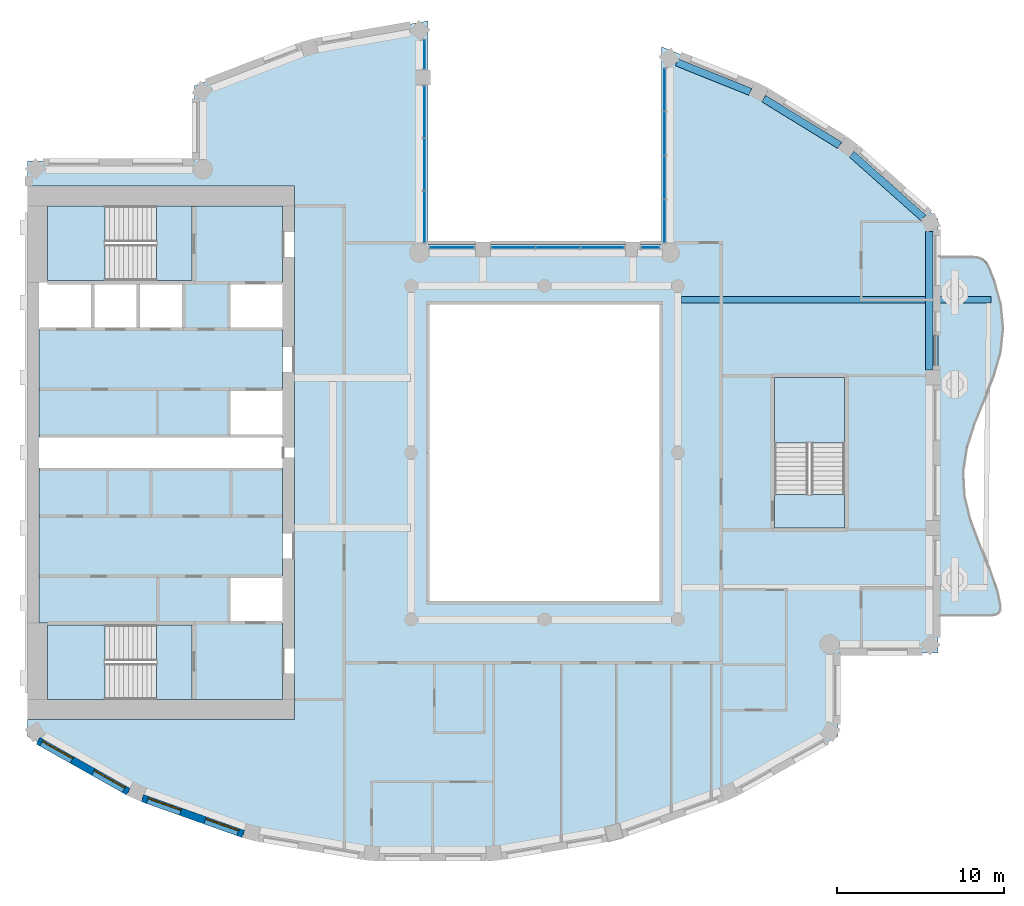
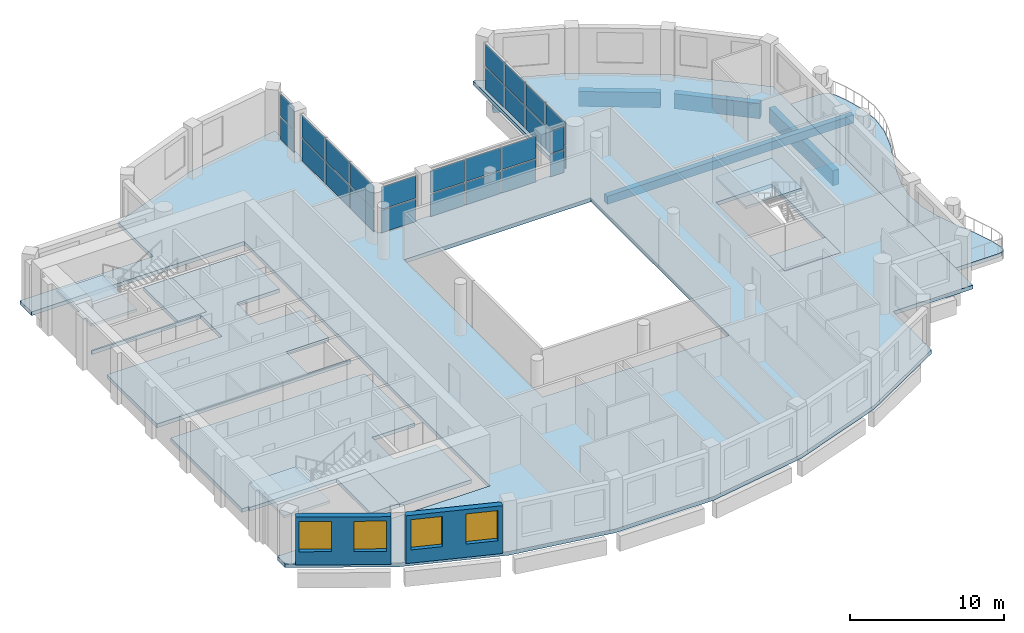
# One storey, part 3 of 15: 26 plates, 10 slabs, 5 beams, 4 windows, 2 walls, 4 openings, 9 elements without a shape of their own.
"""IFC4 building model written with IfcOpenShell, lengths in metres."""

from ifc_helpers import new_model, si_unit, direction, frame, frame_2d, origin, origin_2d, place, context, subcontext, project, spatial, polyline, rectangle, outline, extrude, material, layer, layer_set, material_profile, profile_set, type_object, element, fill, aggregate, save


model = new_model("IFC4")

# Units and contexts
model_context = context("Model", 3, precision=1e-05, world=origin(), true_north=direction((0.0, 1.0)))
body_context = subcontext(model_context, "Body", "Model", "MODEL_VIEW")
ifc_project = project(units=[si_unit("LENGTHUNIT", "METRE"), si_unit("AREAUNIT", "SQUARE_METRE"), si_unit("VOLUMEUNIT", "CUBIC_METRE"), si_unit("PLANEANGLEUNIT", "RADIAN"), si_unit("MASSUNIT", "GRAM", prefix="KILO")], contexts=[model_context])

# Site, building, storey
site_placement = place(None, origin())
site = spatial("IfcSite", under=ifc_project, at=site_placement, CompositionType="ELEMENT")
building_placement = place(site_placement, origin())
building = spatial("IfcBuilding", under=site, at=building_placement, Name="Cypress Arch Tower", CompositionType="ELEMENT")
storey_placement = place(building_placement, frame((0.0, 0.0, 321.300048828125)))
storey = spatial("IfcBuildingStorey", under=building, at=storey_placement, Name="L73", CompositionType="ELEMENT", Elevation=321.300048828125)

# Beams
ifc_material_1 = material(Name="Concrete C50/60", Category="concrete")
ifc_material_profile_1 = material_profile(ifc_material_1, rectangle(XDim=0.39990234375, YDim=0.64990234375, at=origin_2d()), Name="RC 400x650")
ifc_profile_set_1 = profile_set([ifc_material_profile_1], Name="Concrete C50/60")
beam_type_1 = type_object("IfcBeamType", Name="Cantilever beam RC 400x650 Concrete C50/60", PredefinedType="BEAM", material=ifc_profile_set_1)
beam_1_placement = place(storey_placement, frame((9.22509765625, 9.1826171875, -0.625), z_axis=(1.0, 0.0, 0.0), x_axis=(0.0, 1.0, 0.0)))
element("IfcBeam", 1, at=beam_1_placement, inside=storey, type_object=beam_type_1, Name="Cantilever beam L73 C17 2", PredefinedType="BEAM", context=body_context, shape_type="SweptSolid", body=[
    extrude(rectangle(XDim=0.39990234375, YDim=0.64990234375, at=origin_2d()), origin(), (0.0, 0.0, 1.0), 18.5546875),
])
ifc_material_2 = material(Name="Concrete C50/60", Category="concrete")
ifc_material_profile_2 = material_profile(ifc_material_2, rectangle(XDim=0.449951171875, YDim=1.199951171875, at=origin_2d()), Name="RC 450x1200")
ifc_profile_set_2 = profile_set([ifc_material_profile_2], Name="Concrete C50/60")
beam_type_2 = type_object("IfcBeamType", Name="Spandrel beam RC 450x1200 Concrete C50/60", PredefinedType="SPANDREL", material=ifc_profile_set_2)
beam_2_placement = place(storey_placement, frame((24.074951171875, 4.949951171875, -1.550048828125), z_axis=(0.0, 1.0, 0.0), x_axis=(-1.0, 0.0, 0.0)))
element("IfcBeam", 2, at=beam_2_placement, inside=storey, type_object=beam_type_2, Name="Spandrel beam L73 BC17-2", PredefinedType="SPANDREL", context=body_context, shape_type="SweptSolid", body=[
    extrude(rectangle(XDim=0.449951171875, YDim=1.199951171875, at=origin_2d()), origin(), (0.0, 0.0, 1.0), 8.32080078125),
])
beam_3_placement = place(storey_placement, frame((23.706298828125, 14.091796875, -1.550048828125), z_axis=(-0.747555073917, 0.664199827959, 0.0), x_axis=(-0.664199827959, -0.747555073917, 0.0)))
element("IfcBeam", 3, at=beam_3_placement, inside=storey, type_object=beam_type_2, Name="Spandrel beam L73 BC18-0", PredefinedType="SPANDREL", context=body_context, shape_type="SweptSolid", body=[
    extrude(rectangle(XDim=0.449951171875, YDim=1.199951171875, at=origin_2d()), origin(), (0.0, 0.0, 1.0), 5.72900390625),
])
beam_4_placement = place(storey_placement, frame((18.700927734375, 18.43359375, -1.550048828125), z_axis=(-0.851880940975, 0.523735488966, 0.0), x_axis=(-0.523735488966, -0.851880940975, 0.0)))
element("IfcBeam", 4, at=beam_4_placement, inside=storey, type_object=beam_type_2, Name="Spandrel beam L73 BC19-0", PredefinedType="SPANDREL", context=body_context, shape_type="SweptSolid", body=[
    extrude(rectangle(XDim=0.449951171875, YDim=1.199951171875, at=origin_2d()), origin(), (0.0, 0.0, 1.0), 5.344970703125),
])
beam_5_placement = place(storey_placement, frame((13.343994140625, 21.6376953125, -1.550048828125), z_axis=(-0.927944947452, 0.372717284948, 0.0), x_axis=(-0.372717284948, -0.927944947452, 0.0)))
element("IfcBeam", 5, at=beam_5_placement, inside=storey, type_object=beam_type_2, Name="Spandrel beam L73 BC20-0", PredefinedType="SPANDREL", context=body_context, shape_type="SweptSolid", body=[
    extrude(rectangle(XDim=0.449951171875, YDim=1.199951171875, at=origin_2d()), origin(), (0.0, 0.0, 1.0), 4.758056640625),
])

# Slabs
ifc_material_3 = material(Name="Concrete C40/50", Category="concrete")
ifc_layer_1 = layer(ifc_material_3, 0.300048828125)
ifc_layer_set_1 = layer_set([ifc_layer_1], Name="Balcony slab BS300")
slab_type_1 = type_object("IfcSlabType", Name="Balcony slab BS300", PredefinedType="USERDEFINED", material=ifc_layer_set_1)
slab_1_placement = place(storey_placement, frame((0.0, 0.0, -0.300048828125)))
element("IfcSlab", 6, at=slab_1_placement, inside=storey, type_object=slab_type_1, Name="Balcony slab L73-C17", ObjectType="BALCONY SLAB", PredefinedType="USERDEFINED", context=body_context, shape_type="SweptSolid", body=[
    extrude(outline(polyline([(24.60009765625, -9.75), (27.801025390625, -9.75), (28.080810546875, -9.709716796875), (28.26171875, -9.5888671875), (28.34423828125, -9.38720703125), (28.328125, -9.10498046875), (28.16796875, -8.316650390625), (27.6640625, -6.88330078125), (27.071044921875, -5.449951171875), (26.533935546875, -4.0166015625), (26.184814453125, -2.583251953125), (26.10888671875, -1.14990234375), (26.3251953125, 0.283447265625), (26.7802734375, 1.716552734375), (27.36279296875, 3.14990234375), (27.929931640625, 4.583251953125), (28.3427734375, 6.0166015625), (28.499755859375, 7.449951171875), (28.36279296875, 8.88330078125), (27.96533203125, 10.316650390625), (27.656982421875, 11.10498046875), (27.503173828125, 11.38720703125), (27.29443359375, 11.5888671875), (27.03076171875, 11.709716796875), (26.7119140625, 11.75), (24.60009765625, 11.75), (24.60009765625, -9.75)])), origin(), (0.0, 0.0, 1.0), 0.300048828125),
])
ifc_material_4 = material(Name="Concrete C40/50", Category="concrete")
ifc_layer_2 = layer(ifc_material_4, 0.300048828125)
ifc_layer_set_2 = layer_set([ifc_layer_2], Name="Core floor CF300")
slab_type_2 = type_object("IfcSlabType", Name="Core floor CF300", PredefinedType="FLOOR", material=ifc_layer_set_2)
slab_2_placement = place(storey_placement, frame((0.0, 0.0, -0.300048828125)))
element("IfcSlab", 7, at=slab_2_placement, inside=storey, type_object=slab_type_2, Name="Core floor", PredefinedType="FLOOR", context=body_context, shape_type="SweptSolid", body=[
    extrude(outline(polyline([(-28.89990234375, -10.199951171875), (-29.300048828125, -10.199951171875), (-29.300048828125, -0.89990234375), (-28.89990234375, -0.89990234375), (-15.10009765625, -0.89990234375), (-14.699951171875, -0.89990234375), (-14.699951171875, -7.39990234375), (-15.10009765625, -7.39990234375), (-17.919921875, -7.39990234375), (-17.919921875, -10.199951171875), (-15.10009765625, -10.199951171875), (-14.699951171875, -10.199951171875), (-14.699951171875, -14.800048828125), (-15.10009765625, -14.800048828125), (-20.125, -14.800048828125), (-20.125, -10.324951171875), (-22.27490234375, -10.324951171875), (-28.800048828125, -10.324951171875), (-28.800048828125, -10.199951171875), (-28.89990234375, -10.199951171875)])), origin(), (0.0, 0.0, 1.0), 0.300048828125),
])
slab_3_placement = place(storey_placement, frame((0.0, 0.0, -0.300048828125)))
element("IfcSlab", 8, at=slab_3_placement, inside=storey, type_object=slab_type_2, Name="Core floor", PredefinedType="FLOOR", context=body_context, shape_type="SweptSolid", body=[
    extrude(outline(polyline([(-22.27490234375, -10.324951171875), (-22.27490234375, -14.800048828125), (-20.125, -14.800048828125), (-20.125, -10.324951171875), (-22.27490234375, -10.324951171875)])), origin(), (0.0, 0.0, 1.0), 0.300048828125),
])
slab_4_placement = place(storey_placement, frame((0.0, 0.0, -0.300048828125)))
element("IfcSlab", 9, at=slab_4_placement, inside=storey, type_object=slab_type_2, Name="Core floor", PredefinedType="FLOOR", context=body_context, shape_type="SweptSolid", body=[
    extrude(outline(polyline([(-20.125, 14.800048828125), (-22.27490234375, 14.800048828125), (-22.27490234375, 10.324951171875), (-20.125, 10.324951171875), (-20.125, 14.800048828125)])), origin(), (0.0, 0.0, 1.0), 0.300048828125),
])
slab_5_placement = place(storey_placement, frame((0.0, 0.0, -0.300048828125)))
element("IfcSlab", 10, at=slab_5_placement, inside=storey, type_object=slab_type_2, Name="Stair floor landing", PredefinedType="FLOOR", context=body_context, shape_type="SweptSolid", body=[
    extrude(outline(polyline([(19.0, -4.5), (19.0, -2.5), (14.800048828125, -2.5), (14.800048828125, -4.5), (19.0, -4.5)])), origin(), (0.0, 0.0, 1.0), 0.300048828125),
])
slab_6_placement = place(storey_placement, frame((0.0, 0.0, -0.300048828125)))
element("IfcSlab", 11, at=slab_6_placement, inside=storey, type_object=slab_type_2, Name="Core floor", PredefinedType="FLOOR", context=body_context, shape_type="SweptSolid", body=[
    extrude(outline(polyline([(-20.639892578125, 10.199951171875), (-23.360107421875, 10.199951171875), (-26.080078125, 10.199951171875), (-28.800048828125, 10.199951171875), (-28.800048828125, 10.324951171875), (-22.27490234375, 10.324951171875), (-20.125, 10.324951171875), (-20.125, 14.800048828125), (-15.10009765625, 14.800048828125), (-14.699951171875, 14.800048828125), (-14.699951171875, 10.199951171875), (-15.10009765625, 10.199951171875), (-17.919921875, 10.199951171875), (-17.919921875, 7.39990234375), (-15.10009765625, 7.39990234375), (-14.699951171875, 7.39990234375), (-14.699951171875, 3.800048828125), (-15.10009765625, 3.800048828125), (-17.919921875, 3.800048828125), (-17.919921875, 1.5), (-17.919921875, 1.0), (-17.5, 1.0), (-15.10009765625, 1.0), (-14.699951171875, 1.0), (-14.699951171875, 0.89990234375), (-15.10009765625, 0.89990234375), (-17.5, 0.89990234375), (-18.300048828125, 0.89990234375), (-28.89990234375, 0.89990234375), (-29.300048828125, 0.89990234375), (-29.300048828125, 1.5), (-29.300048828125, 7.39990234375), (-28.89990234375, 7.39990234375), (-26.080078125, 7.39990234375), (-23.360107421875, 7.39990234375), (-20.639892578125, 7.39990234375), (-20.639892578125, 10.199951171875)])), origin(), (0.0, 0.0, 1.0), 0.300048828125),
])

# Curtain wall, plates
ifc_material_5 = material(Name="Anodised aluminium, bronze finish, clear laminated double glazing", Category="aluminium")
curtain_wall_type = type_object("IfcCurtainWallType", Name="Curtain wall CW7 slot glazing", PredefinedType="NOTDEFINED", material=ifc_material_5)
curtain_wall_1_placement = place(storey_placement, origin())
curtain_wall_1 = element("IfcCurtainWall", 12, at=curtain_wall_1_placement, inside=storey, type_object=curtain_wall_type, Name="Curtain wall L73 slot C00.0", PredefinedType="NOTDEFINED")
ifc_material_6 = material(Name="Clear laminated double glazing", Category="glass")
ifc_layer_3 = layer(ifc_material_6, 0.0439453125)
ifc_layer_set_3 = layer_set([ifc_layer_3], Name="Glass panel CW7 44")
plate_type = type_object("IfcPlateType", Name="Glass panel CW7 44", PredefinedType="CURTAIN_PANEL", material=ifc_layer_set_3)
plate_1_placement = place(storey_placement, frame((8.199951171875, 21.76220703125, 0.0849609375), z_axis=(0.0, 0.0, 1.0), x_axis=(0.0, -1.0, 0.0)))
plate_1 = element("IfcPlate", 13, at=plate_1_placement, type_object=plate_type, Name="CW7 panel 1.1", PredefinedType="CURTAIN_PANEL", context=body_context, shape_type="SweptSolid", body=[
    extrude(rectangle(XDim=2.510986328125, YDim=0.0439453125, at=origin_2d()), origin(), (0.0, 0.0, 1.0), 1.7724609375),
])
plate_2_placement = place(storey_placement, frame((8.199951171875, 21.76220703125, 1.9423828125), z_axis=(0.0, 0.0, 1.0), x_axis=(0.0, -1.0, 0.0)))
plate_2 = element("IfcPlate", 14, at=plate_2_placement, type_object=plate_type, Name="CW7 panel 1.2", PredefinedType="CURTAIN_PANEL", context=body_context, shape_type="SweptSolid", body=[
    extrude(rectangle(XDim=2.510986328125, YDim=0.0439453125, at=origin_2d()), origin(), (0.0, 0.0, 1.0), 1.7724609375),
])
plate_3_placement = place(storey_placement, frame((8.199951171875, 19.144775390625, 0.0849609375), z_axis=(0.0, 0.0, 1.0), x_axis=(0.0, -1.0, 0.0)))
plate_3 = element("IfcPlate", 15, at=plate_3_placement, type_object=plate_type, Name="CW7 panel 2.1", PredefinedType="CURTAIN_PANEL", context=body_context, shape_type="SweptSolid", body=[
    extrude(rectangle(XDim=2.553466796875, YDim=0.0439453125, at=origin_2d()), origin(), (0.0, 0.0, 1.0), 1.7724609375),
])
plate_4_placement = place(storey_placement, frame((8.199951171875, 19.144775390625, 1.9423828125), z_axis=(0.0, 0.0, 1.0), x_axis=(0.0, -1.0, 0.0)))
plate_4 = element("IfcPlate", 16, at=plate_4_placement, type_object=plate_type, Name="CW7 panel 2.2", PredefinedType="CURTAIN_PANEL", context=body_context, shape_type="SweptSolid", body=[
    extrude(rectangle(XDim=2.553466796875, YDim=0.0439453125, at=origin_2d()), origin(), (0.0, 0.0, 1.0), 1.7724609375),
])
plate_5_placement = place(storey_placement, frame((8.199951171875, 16.50634765625, 0.0849609375), z_axis=(0.0, 0.0, 1.0), x_axis=(0.0, -1.0, 0.0)))
plate_5 = element("IfcPlate", 17, at=plate_5_placement, type_object=plate_type, Name="CW7 panel 3.1", PredefinedType="CURTAIN_PANEL", context=body_context, shape_type="SweptSolid", body=[
    extrude(rectangle(XDim=2.553466796875, YDim=0.0439453125, at=origin_2d()), origin(), (0.0, 0.0, 1.0), 1.7724609375),
])
plate_6_placement = place(storey_placement, frame((8.199951171875, 16.50634765625, 1.9423828125), z_axis=(0.0, 0.0, 1.0), x_axis=(0.0, -1.0, 0.0)))
plate_6 = element("IfcPlate", 18, at=plate_6_placement, type_object=plate_type, Name="CW7 panel 3.2", PredefinedType="CURTAIN_PANEL", context=body_context, shape_type="SweptSolid", body=[
    extrude(rectangle(XDim=2.553466796875, YDim=0.0439453125, at=origin_2d()), origin(), (0.0, 0.0, 1.0), 1.7724609375),
])
plate_7_placement = place(storey_placement, frame((8.199951171875, 13.888916015625, 0.0849609375), z_axis=(0.0, 0.0, 1.0), x_axis=(0.0, -1.0, 0.0)))
plate_7 = element("IfcPlate", 19, at=plate_7_placement, type_object=plate_type, Name="CW7 panel 4.1", PredefinedType="CURTAIN_PANEL", context=body_context, shape_type="SweptSolid", body=[
    extrude(rectangle(XDim=2.510986328125, YDim=0.0439453125, at=origin_2d()), origin(), (0.0, 0.0, 1.0), 1.7724609375),
])
plate_8_placement = place(storey_placement, frame((8.199951171875, 13.888916015625, 1.9423828125), z_axis=(0.0, 0.0, 1.0), x_axis=(0.0, -1.0, 0.0)))
plate_8 = element("IfcPlate", 20, at=plate_8_placement, type_object=plate_type, Name="CW7 panel 4.2", PredefinedType="CURTAIN_PANEL", context=body_context, shape_type="SweptSolid", body=[
    extrude(rectangle(XDim=2.510986328125, YDim=0.0439453125, at=origin_2d()), origin(), (0.0, 0.0, 1.0), 1.7724609375),
])
aggregate(curtain_wall_1, [plate_1, plate_2, plate_3, plate_4, plate_5, plate_6, plate_7, plate_8])

curtain_wall_2_placement = place(storey_placement, origin())
curtain_wall_2 = element("IfcCurtainWall", 21, at=curtain_wall_2_placement, inside=storey, type_object=curtain_wall_type, Name="Curtain wall L73 slot C01.0", PredefinedType="NOTDEFINED")
plate_9_placement = place(storey_placement, frame((7.350830078125, 12.300048828125, 0.0849609375), z_axis=(0.0, 0.0, 1.0), x_axis=(-1.0, 0.0, 0.0)))
plate_9 = element("IfcPlate", 22, at=plate_9_placement, type_object=plate_type, Name="CW7 panel 1.1", PredefinedType="CURTAIN_PANEL", context=body_context, shape_type="SweptSolid", body=[
    extrude(rectangle(XDim=1.031494140625, YDim=0.0439453125, at=origin_2d()), origin(), (0.0, 0.0, 1.0), 1.7724609375),
])
plate_10_placement = place(storey_placement, frame((7.350830078125, 12.300048828125, 1.9423828125), z_axis=(0.0, 0.0, 1.0), x_axis=(-1.0, 0.0, 0.0)))
plate_10 = element("IfcPlate", 23, at=plate_10_placement, type_object=plate_type, Name="CW7 panel 1.2", PredefinedType="CURTAIN_PANEL", context=body_context, shape_type="SweptSolid", body=[
    extrude(rectangle(XDim=1.031494140625, YDim=0.0439453125, at=origin_2d()), origin(), (0.0, 0.0, 1.0), 1.7724609375),
])
aggregate(curtain_wall_2, [plate_9, plate_10])

curtain_wall_3_placement = place(storey_placement, origin())
curtain_wall_3 = element("IfcCurtainWall", 24, at=curtain_wall_3_placement, inside=storey, type_object=curtain_wall_type, Name="Curtain wall L73 slot C01.1", PredefinedType="NOTDEFINED")
plate_11_placement = place(storey_placement, frame((4.478759765625, 12.300048828125, 0.0849609375), z_axis=(0.0, 0.0, 1.0), x_axis=(-1.0, 0.0, 0.0)))
plate_11 = element("IfcPlate", 25, at=plate_11_placement, type_object=plate_type, Name="CW7 panel 1.1", PredefinedType="CURTAIN_PANEL", context=body_context, shape_type="SweptSolid", body=[
    extrude(rectangle(XDim=2.572509765625, YDim=0.0439453125, at=origin_2d()), origin(), (0.0, 0.0, 1.0), 1.7724609375),
])
plate_12_placement = place(storey_placement, frame((4.478759765625, 12.300048828125, 1.9423828125), z_axis=(0.0, 0.0, 1.0), x_axis=(-1.0, 0.0, 0.0)))
plate_12 = element("IfcPlate", 26, at=plate_12_placement, type_object=plate_type, Name="CW7 panel 1.2", PredefinedType="CURTAIN_PANEL", context=body_context, shape_type="SweptSolid", body=[
    extrude(rectangle(XDim=2.572509765625, YDim=0.0439453125, at=origin_2d()), origin(), (0.0, 0.0, 1.0), 1.7724609375),
])
plate_13_placement = place(storey_placement, frame((1.800048828125, 12.300048828125, 0.0849609375), z_axis=(0.0, 0.0, 1.0), x_axis=(-1.0, 0.0, 0.0)))
plate_13 = element("IfcPlate", 27, at=plate_13_placement, type_object=plate_type, Name="CW7 panel 2.1", PredefinedType="CURTAIN_PANEL", context=body_context, shape_type="SweptSolid", body=[
    extrude(rectangle(XDim=2.614990234375, YDim=0.0439453125, at=origin_2d()), origin(), (0.0, 0.0, 1.0), 1.7724609375),
])
plate_14_placement = place(storey_placement, frame((1.800048828125, 12.300048828125, 1.9423828125), z_axis=(0.0, 0.0, 1.0), x_axis=(-1.0, 0.0, 0.0)))
plate_14 = element("IfcPlate", 28, at=plate_14_placement, type_object=plate_type, Name="CW7 panel 2.2", PredefinedType="CURTAIN_PANEL", context=body_context, shape_type="SweptSolid", body=[
    extrude(rectangle(XDim=2.614990234375, YDim=0.0439453125, at=origin_2d()), origin(), (0.0, 0.0, 1.0), 1.7724609375),
])
plate_15_placement = place(storey_placement, frame((-0.878662109375, 12.300048828125, 0.0849609375), z_axis=(0.0, 0.0, 1.0), x_axis=(-1.0, 0.0, 0.0)))
plate_15 = element("IfcPlate", 29, at=plate_15_placement, type_object=plate_type, Name="CW7 panel 3.1", PredefinedType="CURTAIN_PANEL", context=body_context, shape_type="SweptSolid", body=[
    extrude(rectangle(XDim=2.572509765625, YDim=0.0439453125, at=origin_2d()), origin(), (0.0, 0.0, 1.0), 1.7724609375),
])
plate_16_placement = place(storey_placement, frame((-0.878662109375, 12.300048828125, 1.9423828125), z_axis=(0.0, 0.0, 1.0), x_axis=(-1.0, 0.0, 0.0)))
plate_16 = element("IfcPlate", 30, at=plate_16_placement, type_object=plate_type, Name="CW7 panel 3.2", PredefinedType="CURTAIN_PANEL", context=body_context, shape_type="SweptSolid", body=[
    extrude(rectangle(XDim=2.572509765625, YDim=0.0439453125, at=origin_2d()), origin(), (0.0, 0.0, 1.0), 1.7724609375),
])
aggregate(curtain_wall_3, [plate_11, plate_12, plate_13, plate_14, plate_15, plate_16])

curtain_wall_4_placement = place(storey_placement, origin())
curtain_wall_4 = element("IfcCurtainWall", 31, at=curtain_wall_4_placement, inside=storey, type_object=curtain_wall_type, Name="Curtain wall L73 slot C01.2", PredefinedType="NOTDEFINED")
plate_17_placement = place(storey_placement, frame((-4.55078125, 12.300048828125, 0.0849609375), z_axis=(0.0, 0.0, 1.0), x_axis=(-1.0, 0.0, 0.0)))
plate_17 = element("IfcPlate", 32, at=plate_17_placement, type_object=plate_type, Name="CW7 panel 1.1", PredefinedType="CURTAIN_PANEL", context=body_context, shape_type="SweptSolid", body=[
    extrude(rectangle(XDim=2.631591796875, YDim=0.0439453125, at=origin_2d()), origin(), (0.0, 0.0, 1.0), 1.7724609375),
])
plate_18_placement = place(storey_placement, frame((-4.55078125, 12.300048828125, 1.9423828125), z_axis=(0.0, 0.0, 1.0), x_axis=(-1.0, 0.0, 0.0)))
plate_18 = element("IfcPlate", 33, at=plate_18_placement, type_object=plate_type, Name="CW7 panel 1.2", PredefinedType="CURTAIN_PANEL", context=body_context, shape_type="SweptSolid", body=[
    extrude(rectangle(XDim=2.631591796875, YDim=0.0439453125, at=origin_2d()), origin(), (0.0, 0.0, 1.0), 1.7724609375),
])
aggregate(curtain_wall_4, [plate_17, plate_18])

curtain_wall_5_placement = place(storey_placement, origin())
curtain_wall_5 = element("IfcCurtainWall", 34, at=curtain_wall_5_placement, inside=storey, type_object=curtain_wall_type, Name="Curtain wall L73 slot C02.0", PredefinedType="NOTDEFINED")
plate_19_placement = place(storey_placement, frame((-6.199951171875, 14.1533203125, 0.0849609375), z_axis=(0.0, 0.0, 1.0), x_axis=(0.0, 1.0, 0.0)))
plate_19 = element("IfcPlate", 35, at=plate_19_placement, type_object=plate_type, Name="CW7 panel 1.1", PredefinedType="CURTAIN_PANEL", context=body_context, shape_type="SweptSolid", body=[
    extrude(rectangle(XDim=3.039794921875, YDim=0.0439453125, at=origin_2d()), origin(), (0.0, 0.0, 1.0), 1.7724609375),
])
plate_20_placement = place(storey_placement, frame((-6.199951171875, 14.1533203125, 1.9423828125), z_axis=(0.0, 0.0, 1.0), x_axis=(0.0, 1.0, 0.0)))
plate_20 = element("IfcPlate", 36, at=plate_20_placement, type_object=plate_type, Name="CW7 panel 1.2", PredefinedType="CURTAIN_PANEL", context=body_context, shape_type="SweptSolid", body=[
    extrude(rectangle(XDim=3.039794921875, YDim=0.0439453125, at=origin_2d()), origin(), (0.0, 0.0, 1.0), 1.7724609375),
])
plate_21_placement = place(storey_placement, frame((-6.199951171875, 17.29931640625, 0.0849609375), z_axis=(0.0, 0.0, 1.0), x_axis=(0.0, 1.0, 0.0)))
plate_21 = element("IfcPlate", 37, at=plate_21_placement, type_object=plate_type, Name="CW7 panel 2.1", PredefinedType="CURTAIN_PANEL", context=body_context, shape_type="SweptSolid", body=[
    extrude(rectangle(XDim=3.082275390625, YDim=0.0439453125, at=origin_2d()), origin(), (0.0, 0.0, 1.0), 1.7724609375),
])
plate_22_placement = place(storey_placement, frame((-6.199951171875, 17.29931640625, 1.9423828125), z_axis=(0.0, 0.0, 1.0), x_axis=(0.0, 1.0, 0.0)))
plate_22 = element("IfcPlate", 38, at=plate_22_placement, type_object=plate_type, Name="CW7 panel 2.2", PredefinedType="CURTAIN_PANEL", context=body_context, shape_type="SweptSolid", body=[
    extrude(rectangle(XDim=3.082275390625, YDim=0.0439453125, at=origin_2d()), origin(), (0.0, 0.0, 1.0), 1.7724609375),
])
plate_23_placement = place(storey_placement, frame((-6.199951171875, 20.445068359375, 0.0849609375), z_axis=(0.0, 0.0, 1.0), x_axis=(0.0, 1.0, 0.0)))
plate_23 = element("IfcPlate", 39, at=plate_23_placement, type_object=plate_type, Name="CW7 panel 3.1", PredefinedType="CURTAIN_PANEL", context=body_context, shape_type="SweptSolid", body=[
    extrude(rectangle(XDim=3.039794921875, YDim=0.0439453125, at=origin_2d()), origin(), (0.0, 0.0, 1.0), 1.7724609375),
])
plate_24_placement = place(storey_placement, frame((-6.199951171875, 20.445068359375, 1.9423828125), z_axis=(0.0, 0.0, 1.0), x_axis=(0.0, 1.0, 0.0)))
plate_24 = element("IfcPlate", 40, at=plate_24_placement, type_object=plate_type, Name="CW7 panel 3.2", PredefinedType="CURTAIN_PANEL", context=body_context, shape_type="SweptSolid", body=[
    extrude(rectangle(XDim=3.039794921875, YDim=0.0439453125, at=origin_2d()), origin(), (0.0, 0.0, 1.0), 1.7724609375),
])
aggregate(curtain_wall_5, [plate_19, plate_20, plate_21, plate_22, plate_23, plate_24])

curtain_wall_6_placement = place(storey_placement, origin())
curtain_wall_6 = element("IfcCurtainWall", 41, at=curtain_wall_6_placement, inside=storey, type_object=curtain_wall_type, Name="Curtain wall L73 slot C02.1", PredefinedType="NOTDEFINED")
plate_25_placement = place(storey_placement, frame((-6.199951171875, 23.89111328125, 0.0849609375), z_axis=(0.0, 0.0, 1.0), x_axis=(0.0, 1.0, 0.0)))
plate_25 = element("IfcPlate", 42, at=plate_25_placement, type_object=plate_type, Name="CW7 panel 1.1", PredefinedType="CURTAIN_PANEL", context=body_context, shape_type="SweptSolid", body=[
    extrude(rectangle(XDim=1.71240234375, YDim=0.0439453125, at=origin_2d()), origin(), (0.0, 0.0, 1.0), 1.7724609375),
])
plate_26_placement = place(storey_placement, frame((-6.199951171875, 23.89111328125, 1.9423828125), z_axis=(0.0, 0.0, 1.0), x_axis=(0.0, 1.0, 0.0)))
plate_26 = element("IfcPlate", 43, at=plate_26_placement, type_object=plate_type, Name="CW7 panel 1.2", PredefinedType="CURTAIN_PANEL", context=body_context, shape_type="SweptSolid", body=[
    extrude(rectangle(XDim=1.71240234375, YDim=0.0439453125, at=origin_2d()), origin(), (0.0, 0.0, 1.0), 1.7724609375),
])
aggregate(curtain_wall_6, [plate_25, plate_26])

# Slab
ifc_material_7 = material(Name="Concrete C40/50", Category="concrete")
ifc_layer_4 = layer(ifc_material_7, 0.300048828125)
ifc_layer_set_4 = layer_set([ifc_layer_4], Name="PT flat slab 300 Concrete C40/50")
slab_type_3 = type_object("IfcSlabType", Name="PT flat slab 300 Concrete C40/50", PredefinedType="FLOOR", material=ifc_layer_set_4)
slab_7_placement = place(storey_placement, frame((0.0, 0.0, -0.300048828125)))
element("IfcSlab", 44, at=slab_7_placement, inside=storey, type_object=slab_type_3, Name="Floor slab L73", PredefinedType="FLOOR", context=body_context, shape_type="SweptSolid", body=[
    extrude(outline(polyline([(-30.0, 17.5), (-20.0, 17.5), (-20.0, 22.0), (-13.199951171875, 24.6201171875), (-6.0, 25.889892578125), (-6.0, 12.5), (8.0, 12.5), (8.0, 24.35009765625), (14.0, 21.93994140625), (19.39990234375, 18.6201171875), (24.60009765625, 14.0), (24.60009765625, -12.0), (18.60009765625, -12.0), (18.60009765625, -17.0), (12.179931640625, -20.6201171875), (5.239990234375, -23.090087890625), (-2.02001953125, -24.340087890625), (-9.3798828125, -24.340087890625), (-16.639892578125, -23.090087890625), (-23.580078125, -20.6201171875), (-30.0, -17.0), (-30.0, -16.0), (-14.0, -16.0), (-14.0, 16.0), (-30.0, 16.0), (-30.0, 17.5)]), holes=[polyline([(-6.0, -9.0), (8.0, -9.0), (8.0, 9.0), (-6.0, 9.0), (-6.0, -9.0)]), polyline([(14.800048828125, -4.5), (19.0, -4.5), (19.0, 4.5), (14.800048828125, 4.5), (14.800048828125, -4.5)])]), origin(), (0.0, 0.0, 1.0), 0.300048828125),
])

# Stair, slab
ifc_material_8 = material(Name="Concrete C40/50", Category="concrete")
stair_type_1 = type_object("IfcStairType", Name="Exit stair ES1708-215", PredefinedType="HALF_TURN_STAIR", material=ifc_material_8)
stair_1_placement = place(storey_placement, origin())
stair_1 = element("IfcStair", 45, at=stair_1_placement, inside=storey, type_object=stair_type_1, Name="L73 Exit stair A", PredefinedType="HALF_TURN_STAIR")
ifc_material_9 = material(Name="Concrete C40/50", Category="concrete")
ifc_layer_5 = layer(ifc_material_9, 0.199951171875)
ifc_layer_set_5 = layer_set([ifc_layer_5], Name="Stair landing SL200")
slab_type_4 = type_object("IfcSlabType", Name="Stair landing SL200", PredefinedType="LANDING", material=ifc_layer_set_5)
slab_8_placement = place(storey_placement, frame((0.0, 0.0, 1.849853515625)))
slab_8 = element("IfcSlab", 46, at=slab_8_placement, type_object=slab_type_4, Name="A landing 1", PredefinedType="LANDING", context=body_context, shape_type="SweptSolid", body=[
    extrude(outline(polyline([(-25.35498046875, -10.324951171875), (-28.800048828125, -10.324951171875), (-28.800048828125, -14.800048828125), (-25.35498046875, -14.800048828125), (-25.35498046875, -10.324951171875)])), origin(), (0.0, 0.0, 1.0), 0.2001953125),
])
aggregate(stair_1, [slab_8])

stair_2_placement = place(storey_placement, origin())
stair_2 = element("IfcStair", 47, at=stair_2_placement, inside=storey, type_object=stair_type_1, Name="L73 Exit stair B", PredefinedType="HALF_TURN_STAIR")
slab_9_placement = place(storey_placement, frame((0.0, 0.0, 1.849853515625)))
slab_9 = element("IfcSlab", 48, at=slab_9_placement, type_object=slab_type_4, Name="B landing 1", PredefinedType="LANDING", context=body_context, shape_type="SweptSolid", body=[
    extrude(outline(polyline([(-25.35498046875, 14.800048828125), (-28.800048828125, 14.800048828125), (-28.800048828125, 10.324951171875), (-25.35498046875, 10.324951171875), (-25.35498046875, 14.800048828125)])), origin(), (0.0, 0.0, 1.0), 0.2001953125),
])
aggregate(stair_2, [slab_9])

ifc_material_10 = material(Name="Concrete C40/50", Category="concrete")
stair_type_2 = type_object("IfcStairType", Name="Exit stair ES1708-200", PredefinedType="HALF_TURN_STAIR", material=ifc_material_10)
stair_3_placement = place(storey_placement, origin())
stair_3 = element("IfcStair", 49, at=stair_3_placement, inside=storey, type_object=stair_type_2, Name="L73 Exit stair C", PredefinedType="HALF_TURN_STAIR")
slab_10_placement = place(storey_placement, frame((0.0, 0.0, 1.849853515625)))
slab_10 = element("IfcSlab", 50, at=slab_10_placement, type_object=slab_type_4, Name="C landing 1", PredefinedType="LANDING", context=body_context, shape_type="SweptSolid", body=[
    extrude(outline(polyline([(19.0, 0.580078125), (19.0, 4.5), (14.800048828125, 4.5), (14.800048828125, 0.580078125), (19.0, 0.580078125)])), origin(), (0.0, 0.0, 1.0), 0.2001953125),
])
aggregate(stair_3, [slab_10])

# Wall, openings, windows
ifc_material_11 = material(Name="Brick (red buff blend)", Category="masonry")
ifc_layer_6 = layer(ifc_material_11, 0.449951171875)
ifc_layer_set_6 = layer_set([ifc_layer_6], Name="Brick pier and spandrel wall BW450")
wall_type = type_object("IfcWallType", Name="Brick pier and spandrel wall BW450", PredefinedType="SOLIDWALL", material=ifc_layer_set_6)
wall_1_placement = place(storey_placement, frame((-29.3564453125, -17.276611328125, 0.0), z_axis=(0.0, 0.0, 1.0), x_axis=(0.871065783524, -0.491166367714, 0.0)))
wall_1 = element("IfcWall", 51, at=wall_1_placement, inside=storey, type_object=wall_type, Name="Brick wall L73 C08.0", PredefinedType="SOLIDWALL", context=body_context, shape_type="SweptSolid", body=[
    extrude(rectangle(XDim=6.1962890625, YDim=0.449951171875, at=frame_2d((3.09814453125, 0.0))), origin(), (0.0, 0.0, 1.0), 3.800048828125),
])
opening_1_placement = place(wall_1_placement, frame((0.22119140625, 0.0, 1.050048828125)))
opening_1 = element("IfcOpeningElement", 52, at=opening_1_placement, cuts=wall_1, Name="Opening W210O", PredefinedType="OPENING", context=body_context, shape_type="SweptSolid", body=[
    extrude(rectangle(XDim=2.10009765625, YDim=2.39990234375, at=frame_2d((1.050048828125, 1.199951171875))), frame((0.0, 0.23486328125, 0.0), z_axis=(0.0, -1.0, 0.0), x_axis=(1.0, 0.0, 0.0)), (0.0, 0.0, 1.0), 0.469970703125),
])
opening_2_placement = place(wall_1_placement, frame((3.8056640625, 0.0, 1.050048828125)))
opening_2 = element("IfcOpeningElement", 53, at=opening_2_placement, cuts=wall_1, Name="Opening W210O", PredefinedType="OPENING", context=body_context, shape_type="SweptSolid", body=[
    extrude(rectangle(XDim=2.10009765625, YDim=2.39990234375, at=frame_2d((1.050048828125, 1.199951171875))), frame((0.0, 0.23486328125, 0.0), z_axis=(0.0, -1.0, 0.0), x_axis=(1.0, 0.0, 0.0)), (0.0, 0.0, 1.0), 0.469970703125),
])
ifc_material_12 = material(Name="Anodised aluminium, bronze finish, clear low-emissivity double glazing", Category="aluminium")
window_type = type_object("IfcWindowType", Name="Window Office 2100x2400", PartitioningType="SINGLE_PANEL", PredefinedType="WINDOW", material=ifc_material_12)
window_1_placement = place(opening_1_placement, origin())
window_1 = element("IfcWindow", 54, at=window_1_placement, inside=storey, type_object=window_type, Name="Window L73 C08.0.1", OverallHeight=2.39990234375, OverallWidth=2.10009765625, PartitioningType="SINGLE_PANEL", PredefinedType="WINDOW", context=body_context, shape_type="SweptSolid", body=[
    extrude(rectangle(XDim=2.10009765625, YDim=2.39990234375, at=frame_2d((1.050048828125, 1.199951171875))), frame((0.0, 0.135009765625, 0.0), z_axis=(0.0, -1.0, 0.0), x_axis=(1.0, 0.0, 0.0)), (0.0, 0.0, 1.0), 0.06005859375),
])
fill(opening_1, window_1)
window_2_placement = place(opening_2_placement, origin())
window_2 = element("IfcWindow", 55, at=window_2_placement, inside=storey, type_object=window_type, Name="Window L73 C08.0.2", OverallHeight=2.39990234375, OverallWidth=2.10009765625, PartitioningType="SINGLE_PANEL", PredefinedType="WINDOW", context=body_context, shape_type="SweptSolid", body=[
    extrude(rectangle(XDim=2.10009765625, YDim=2.39990234375, at=frame_2d((1.050048828125, 1.199951171875))), frame((0.0, 0.135009765625, 0.0), z_axis=(0.0, -1.0, 0.0), x_axis=(1.0, 0.0, 0.0)), (0.0, 0.0, 1.0), 0.06005859375),
])
fill(opening_2, window_2)

wall_2_placement = place(storey_placement, frame((-23.10498046875, -20.70947265625, 0.0), z_axis=(0.0, 0.0, 1.0), x_axis=(0.942104058931, -0.335320655711, 0.0)))
wall_2 = element("IfcWall", 56, at=wall_2_placement, inside=storey, type_object=wall_type, Name="Brick wall L73 C09.0", PredefinedType="SOLIDWALL", context=body_context, shape_type="SweptSolid", body=[
    extrude(rectangle(XDim=6.411376953125, YDim=0.449951171875, at=frame_2d((3.20556640625, 0.0))), origin(), (0.0, 0.0, 1.0), 3.800048828125),
])
opening_3_placement = place(wall_2_placement, frame((0.3271484375, 0.0, 1.050048828125)))
opening_3 = element("IfcOpeningElement", 57, at=opening_3_placement, cuts=wall_2, Name="Opening W210O", PredefinedType="OPENING", context=body_context, shape_type="SweptSolid", body=[
    extrude(rectangle(XDim=2.10009765625, YDim=2.39990234375, at=frame_2d((1.050048828125, 1.199951171875))), frame((0.0, 0.23486328125, 0.0), z_axis=(0.0, -1.0, 0.0), x_axis=(1.0, 0.0, 0.0)), (0.0, 0.0, 1.0), 0.469970703125),
])
opening_4_placement = place(wall_2_placement, frame((3.984619140625, 0.0, 1.050048828125)))
opening_4 = element("IfcOpeningElement", 58, at=opening_4_placement, cuts=wall_2, Name="Opening W210O", PredefinedType="OPENING", context=body_context, shape_type="SweptSolid", body=[
    extrude(rectangle(XDim=2.10009765625, YDim=2.39990234375, at=frame_2d((1.050048828125, 1.199951171875))), frame((0.0, 0.23486328125, 0.0), z_axis=(0.0, -1.0, 0.0), x_axis=(1.0, 0.0, 0.0)), (0.0, 0.0, 1.0), 0.469970703125),
])
window_3_placement = place(opening_3_placement, origin())
window_3 = element("IfcWindow", 59, at=window_3_placement, inside=storey, type_object=window_type, Name="Window L73 C09.0.1", OverallHeight=2.39990234375, OverallWidth=2.10009765625, PartitioningType="SINGLE_PANEL", PredefinedType="WINDOW", context=body_context, shape_type="SweptSolid", body=[
    extrude(rectangle(XDim=2.10009765625, YDim=2.39990234375, at=frame_2d((1.050048828125, 1.199951171875))), frame((0.0, 0.135009765625, 0.0), z_axis=(0.0, -1.0, 0.0), x_axis=(1.0, 0.0, 0.0)), (0.0, 0.0, 1.0), 0.06005859375),
])
fill(opening_3, window_3)
window_4_placement = place(opening_4_placement, origin())
window_4 = element("IfcWindow", 60, at=window_4_placement, inside=storey, type_object=window_type, Name="Window L73 C09.0.2", OverallHeight=2.39990234375, OverallWidth=2.10009765625, PartitioningType="SINGLE_PANEL", PredefinedType="WINDOW", context=body_context, shape_type="SweptSolid", body=[
    extrude(rectangle(XDim=2.10009765625, YDim=2.39990234375, at=frame_2d((1.050048828125, 1.199951171875))), frame((0.0, 0.135009765625, 0.0), z_axis=(0.0, -1.0, 0.0), x_axis=(1.0, 0.0, 0.0)), (0.0, 0.0, 1.0), 0.06005859375),
])
fill(opening_4, window_4)

save(model, "model.ifc")
